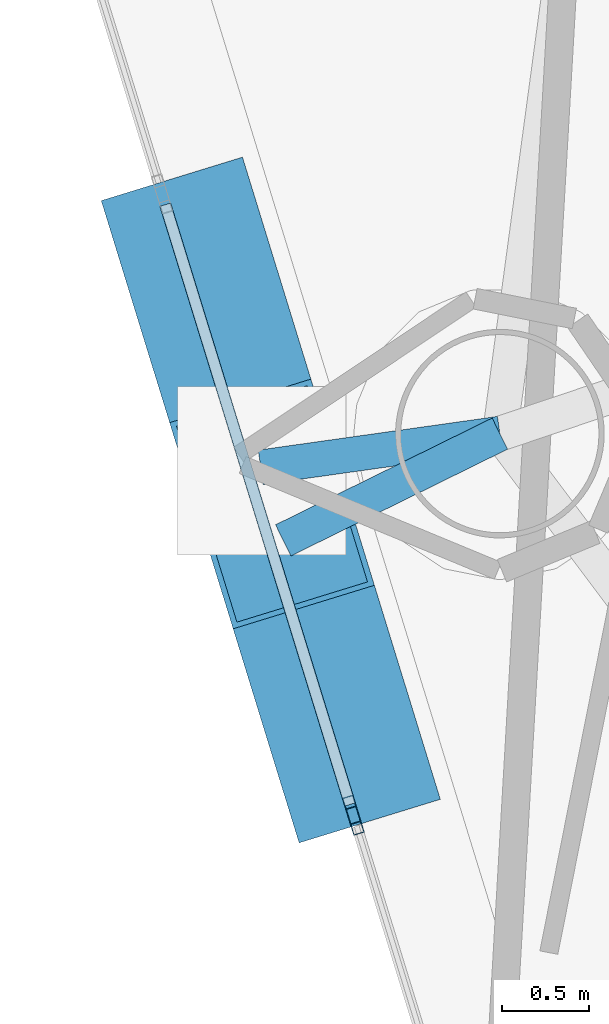
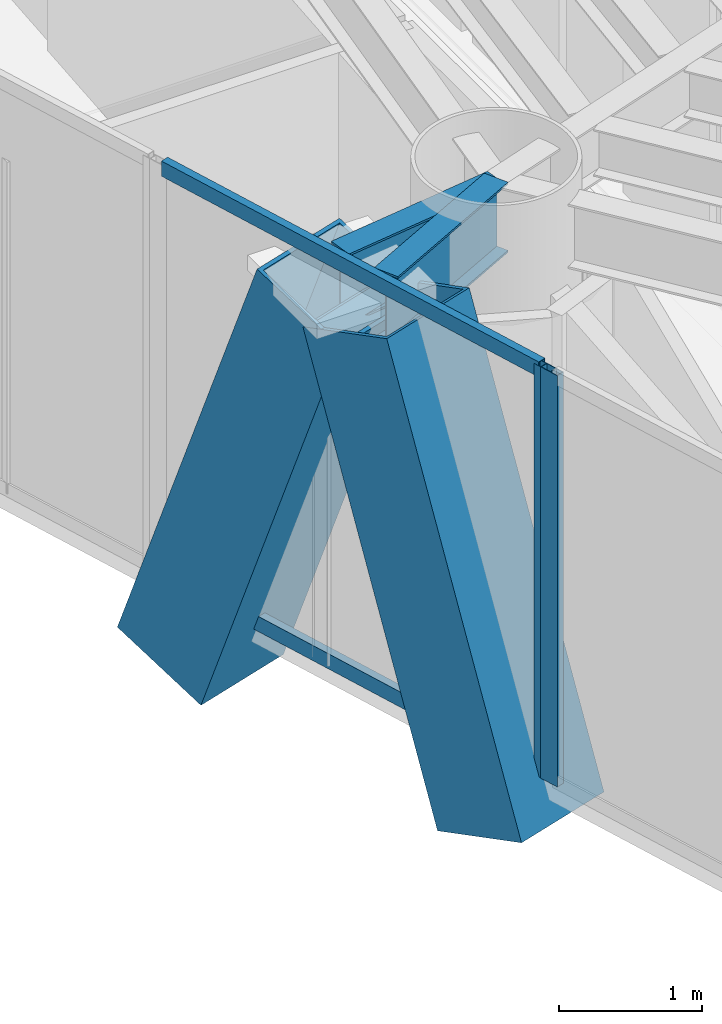
# One storey, part 3 of 23: 6 members, 2 beams, 2 elements without a shape of their own.
"""IFC4 building model written with IfcOpenShell, lengths in metres."""

from ifc_helpers import new_model, si_unit, direction, frame, origin, origin_2d, place, context, subcontext, project, spatial, hollow_rectangle, i_section, extrude, material, layer, layer_set, material_profile, profile_set, type_object, element, aggregate, save


model = new_model("IFC4")

# Units and contexts
model_context = context("Model", 3, precision=1e-05, world=origin(), true_north=direction((0.0, 1.0)))
body_context = subcontext(model_context, "Body", "Model", "MODEL_VIEW")
ifc_project = project(units=[si_unit("LENGTHUNIT", "METRE"), si_unit("AREAUNIT", "SQUARE_METRE"), si_unit("VOLUMEUNIT", "CUBIC_METRE"), si_unit("PLANEANGLEUNIT", "RADIAN"), si_unit("MASSUNIT", "GRAM", prefix="KILO")], contexts=[model_context])

# Site, building, storey
site_placement = place(None, origin())
site = spatial("IfcSite", under=ifc_project, at=site_placement, CompositionType="ELEMENT")
building_placement = place(site_placement, origin())
building = spatial("IfcBuilding", under=site, at=building_placement, Name="Qianvela Tower", CompositionType="ELEMENT")
storey_placement = place(building_placement, frame((0.0, 0.0, 218.800048828125)))
storey = spatial("IfcBuildingStorey", under=building, at=storey_placement, Name="L56", CompositionType="ELEMENT", Elevation=218.800048828125)

# Beams
ifc_material_1 = material(Name="Steel Q355B", Category="steel")
ifc_material_profile_1 = material_profile(ifc_material_1, i_section(OverallWidth=0.199951171875, OverallDepth=0.60009765625, WebThickness=0.010986328125, FlangeThickness=0.01708984375, at=origin_2d()), Name="HN600x200x11x17")
ifc_profile_set_1 = profile_set([ifc_material_profile_1], Name="Steel Q355B")
beam_type = type_object("IfcBeamType", Name="BM-HN600-GIRD", PredefinedType="BEAM", material=ifc_profile_set_1)
for number, where, z_axis, x_axis, name in (
    (1, (24.471923828125, 22.4599609375, 3.218017578125), (-0.990242564172, -0.139354454905, 0.0), (0.139354454905, -0.990242564172, 0.0), "L56 Mega-Brace Column Tie Bracket F2-1"),
    (2, (24.471923828125, 22.4599609375, 3.218017578125), (-0.897047446757, -0.441934246542, 0.0), (0.441934246542, -0.897047446757, 0.0), "L56 Mega-Brace Column Tie Bracket F2-2"),
):
    element("IfcBeam", number, at=place(storey_placement, frame(where, z_axis=z_axis, x_axis=x_axis)), inside=storey, type_object=beam_type, Name=name, PredefinedType="BEAM", context=body_context, shape_type="SweptSolid", body=[
        extrude(i_section(OverallWidth=0.199951171875, OverallDepth=0.60009765625, WebThickness=0.010986328125, FlangeThickness=0.01708984375, at=origin_2d()), origin(), (0.0, 0.0, 1.0), 1.389404296875),
    ])

# Curtain wall, members
ifc_material_2 = material(Name="Anodised Architectural Aluminium and Insulated Spandrel Panel", Category="aluminium")
ifc_layer_1 = layer(ifc_material_2, 0.179931640625)
ifc_layer_set_1 = layer_set([ifc_layer_1], Name="Anodised Architectural Aluminium and Insulated Spandrel Panel")
curtain_wall_type_1 = type_object("IfcCurtainWallType", Name="CW-BRACEBAY", PredefinedType="USERDEFINED", material=ifc_layer_set_1)
curtain_wall_1_placement = place(storey_placement, origin())
curtain_wall_1 = element("IfcCurtainWall", 3, at=curtain_wall_1_placement, inside=storey, type_object=curtain_wall_type_1, Name="L56 CW-BRACEBAY Curtain Wall 04B", ObjectType="CURTAIN_WALL_SYSTEM", PredefinedType="USERDEFINED")
ifc_material_3 = material(Name="Anodised Architectural Aluminium 6063-T6", Category="aluminium")
ifc_material_profile_2 = material_profile(ifc_material_3, hollow_rectangle(XDim=0.06494140625, YDim=0.159912109375, WallThickness=0.0048828125, at=origin_2d()), Name="ALU-MULL-65x160")
ifc_profile_set_2 = profile_set([ifc_material_profile_2], Name="Anodised Architectural Aluminium 6063-T6")
member_type_1 = type_object("IfcMemberType", Name="CW-BRACEBAY-MULL", PredefinedType="MULLION", material=ifc_profile_set_2)
member_1_placement = place(storey_placement, frame((23.619384765625, 20.295654296875, 0.0), z_axis=(0.0, 0.0, 1.0), x_axis=(0.955692825905, 0.29436579712, 0.0)))
member_1 = element("IfcMember", 4, at=member_1_placement, type_object=member_type_1, Name="CW-9 mullion 2", PredefinedType="MULLION", context=body_context, shape_type="SweptSolid", body=[
    extrude(hollow_rectangle(XDim=0.06494140625, YDim=0.159912109375, WallThickness=0.0048828125, at=origin_2d()), origin(), (0.0, 0.0, 1.0), 3.52001953125),
])
ifc_material_4 = material(Name="Anodised Architectural Aluminium 6063-T6", Category="aluminium")
ifc_material_profile_3 = material_profile(ifc_material_4, hollow_rectangle(XDim=0.06494140625, YDim=0.1298828125, WallThickness=0.00439453125, at=origin_2d()), Name="ALU-TRAN-65x130")
ifc_profile_set_3 = profile_set([ifc_material_profile_3], Name="Anodised Architectural Aluminium 6063-T6")
member_type_2 = type_object("IfcMemberType", Name="CW-BRACEBAY-TRAN", PredefinedType="USERDEFINED", material=ifc_profile_set_3)
member_2_placement = place(storey_placement, frame((22.547119140625, 23.77685546875, 0.032470703125), z_axis=(0.294394739488, -0.9556839108, 0.0), x_axis=(0.9556839108, 0.294394739488, 0.0)))
member_2 = element("IfcMember", 5, at=member_2_placement, type_object=member_type_2, Name="CW-9 transom 1.1", ObjectType="TRANSOM", PredefinedType="USERDEFINED", context=body_context, shape_type="SweptSolid", body=[
    extrude(hollow_rectangle(XDim=0.06494140625, YDim=0.1298828125, WallThickness=0.00439453125, at=origin_2d()), origin(), (0.0, 0.0, 1.0), 3.60986328125),
])
member_3_placement = place(storey_placement, frame((22.547119140625, 23.77685546875, 3.487548828125), z_axis=(0.294394739488, -0.9556839108, 0.0), x_axis=(0.9556839108, 0.294394739488, 0.0)))
member_3 = element("IfcMember", 6, at=member_3_placement, type_object=member_type_2, Name="CW-9 transom 1.2", ObjectType="TRANSOM", PredefinedType="USERDEFINED", context=body_context, shape_type="SweptSolid", body=[
    extrude(hollow_rectangle(XDim=0.06494140625, YDim=0.1298828125, WallThickness=0.00439453125, at=origin_2d()), origin(), (0.0, 0.0, 1.0), 3.60986328125),
])
aggregate(curtain_wall_1, [member_1, member_2, member_3])

# Curtain wall, member
ifc_material_5 = material(Name="Anodised Architectural Aluminium and Low-E Glass", Category="aluminium")
ifc_layer_2 = layer(ifc_material_5, 0.159912109375)
ifc_layer_set_2 = layer_set([ifc_layer_2], Name="Anodised Architectural Aluminium and Low-E Glass")
curtain_wall_type_2 = type_object("IfcCurtainWallType", Name="CW-COLIV-Z56", PredefinedType="USERDEFINED", material=ifc_layer_set_2)
curtain_wall_2_placement = place(storey_placement, origin())
curtain_wall_2 = element("IfcCurtainWall", 7, at=curtain_wall_2_placement, inside=storey, type_object=curtain_wall_type_2, Name="L56 CW-COLIV-Z56 Curtain Wall 04C", ObjectType="CURTAIN_WALL_SYSTEM", PredefinedType="USERDEFINED")
ifc_material_6 = material(Name="Anodised Architectural Aluminium 6063-T6", Category="aluminium")
ifc_material_profile_4 = material_profile(ifc_material_6, hollow_rectangle(XDim=0.06494140625, YDim=0.159912109375, WallThickness=0.0048828125, at=origin_2d()), Name="ALU-MULL-65x160")
ifc_profile_set_4 = profile_set([ifc_material_profile_4], Name="Anodised Architectural Aluminium 6063-T6")
member_type_3 = type_object("IfcMemberType", Name="CW-COLIV-Z56-MULL", PredefinedType="MULLION", material=ifc_profile_set_4)
member_4_placement = place(storey_placement, frame((23.638427734375, 20.233642578125, 0.0), z_axis=(0.0, 0.0, 1.0), x_axis=(0.955689457726, 0.294376732083, 0.0)))
member_4 = element("IfcMember", 8, at=member_4_placement, type_object=member_type_3, Name="CW-5 mullion 1", PredefinedType="MULLION", context=body_context, shape_type="SweptSolid", body=[
    extrude(hollow_rectangle(XDim=0.06494140625, YDim=0.159912109375, WallThickness=0.0048828125, at=origin_2d()), origin(), (0.0, 0.0, 1.0), 3.52001953125),
])
aggregate(curtain_wall_2, [member_4])

# Members
ifc_material_7 = material(Name="Steel Q420GJC", Category="steel")
ifc_material_profile_5 = material_profile(ifc_material_7, hollow_rectangle(XDim=0.85009765625, YDim=0.85009765625, WallThickness=0.031982421875, at=origin_2d()), Name="MBOX-850x850x32")
ifc_profile_set_5 = profile_set([ifc_material_profile_5], Name="Steel Q420GJC")
member_type_4 = type_object("IfcMemberType", Name="MBR-MBRACE-850", PredefinedType="BRACE", material=ifc_profile_set_5)
member_5_placement = place(storey_placement, frame((22.70263671875, 23.54345703125, -0.48193359375), z_axis=(0.100042063527, -0.324640219797, 0.940531930992), x_axis=(0.955652518558, 0.29449662778, 0.0)))
element("IfcMember", 9, at=member_5_placement, inside=storey, type_object=member_type_4, Name="L56 Tier 9 Exterior Mega-Brace F2A", PredefinedType="BRACE", context=body_context, shape_type="SweptSolid", body=[
    extrude(hollow_rectangle(XDim=0.85009765625, YDim=0.85009765625, WallThickness=0.031982421875, at=origin_2d()), origin(), (0.0, 0.0, 1.0), 3.933837890625),
])
member_6_placement = place(storey_placement, frame((23.60498046875, 20.614501953125, -0.48193359375), z_axis=(-0.096835892818, 0.314311610923, 0.944368053833), x_axis=(-0.955672434759, -0.2944319912, 0.0)))
element("IfcMember", 10, at=member_6_placement, inside=storey, type_object=member_type_4, Name="L56 Tier 9 Exterior Mega-Brace F2B", PredefinedType="BRACE", context=body_context, shape_type="SweptSolid", body=[
    extrude(hollow_rectangle(XDim=0.85009765625, YDim=0.85009765625, WallThickness=0.031982421875, at=origin_2d()), origin(), (0.0, 0.0, 1.0), 3.91796875),
])

save(model, "model.ifc")
